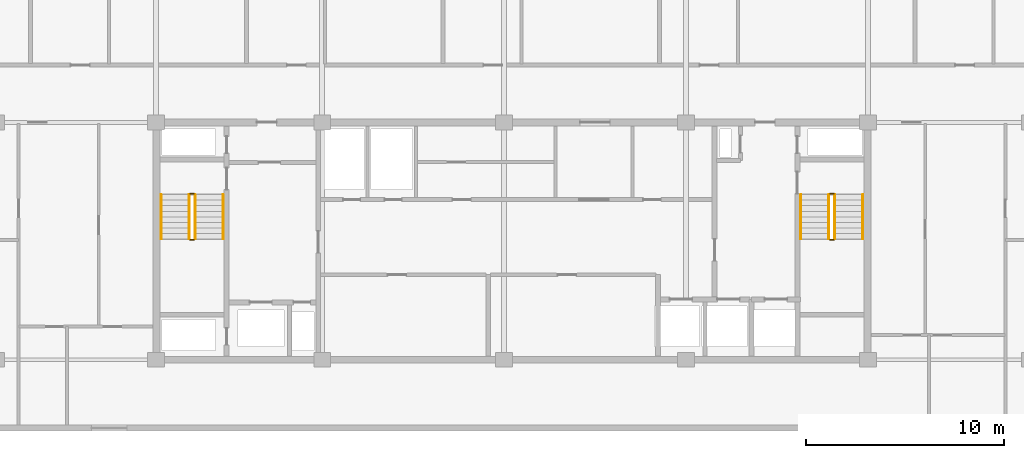
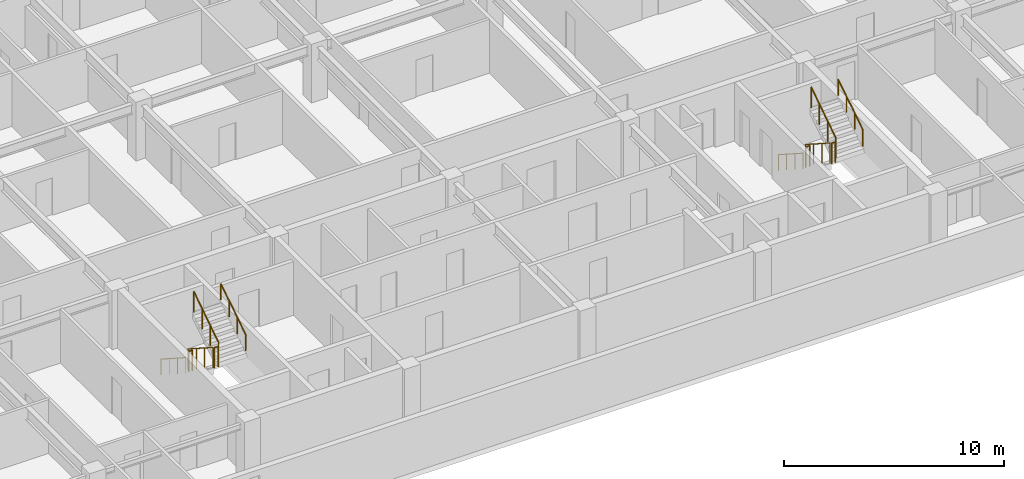
# One storey, part 16 of 17: 12 railings.
"""IFC4 building model written with IfcOpenShell, lengths in metres."""

from ifc_helpers import new_model, si_unit, direction, frame, origin, origin_2d, place, context, subcontext, project, spatial, circle, extrude, material, type_object, element, save


model = new_model("IFC4")

# Units and contexts
model_context = context("Model", 3, precision=1e-05, world=origin(), true_north=direction((0.0, 1.0)))
body_context = subcontext(model_context, "Body", "Model", "MODEL_VIEW")
ifc_project = project(units=[si_unit("LENGTHUNIT", "METRE"), si_unit("AREAUNIT", "SQUARE_METRE"), si_unit("VOLUMEUNIT", "CUBIC_METRE"), si_unit("PLANEANGLEUNIT", "RADIAN"), si_unit("MASSUNIT", "GRAM", prefix="KILO")], contexts=[model_context])

# Site, building, storey
site_placement = place(None, origin())
site = spatial("IfcSite", under=ifc_project, at=site_placement, CompositionType="ELEMENT")
building_placement = place(site_placement, origin())
building = spatial("IfcBuilding", under=site, at=building_placement, Name="Korimba Cascade Residences", CompositionType="ELEMENT")
storey_placement = place(building_placement, frame((0.0, 0.0, 204.35009765625)))
storey = spatial("IfcBuildingStorey", under=building, at=storey_placement, Name="L59", CompositionType="ELEMENT", Elevation=204.35009765625)

# Railings
ifc_material_1 = material(Name="Painted Steel Stairwell Guardrail", Category="steel")
railing_type_1 = type_object("IfcRailingType", Name="RLG-ST-GD1150", PredefinedType="GUARDRAIL", material=ifc_material_1)
railing_1_placement = place(storey_placement, frame((77.77001953125, 63.550048828125, 0.180419921875)))
element("IfcRailing", 1, at=railing_1_placement, inside=storey, type_object=railing_type_1, Name="L59 ST-W1 stair guard 1", PredefinedType="GUARDRAIL", context=body_context, shape_type="SweptSolid", body=[
    extrude(circle(Radius=0.02392578125, at=origin_2d()), frame((0.0, 0.0, 1.1259765625), z_axis=(0.0, -0.840394893359, 0.541974559565), x_axis=(1.0, 0.0, 0.0)), (0.0, 0.0, 1.0), 2.665283203125),
    extrude(circle(Radius=0.02099609375, at=origin_2d()), origin(), (0.0, 0.0, 1.0), 1.101806640625),
    extrude(circle(Radius=0.02099609375, at=origin_2d()), frame((0.0, -0.74658203125, 0.4814453125)), (0.0, 0.0, 1.0), 1.101806640625),
    extrude(circle(Radius=0.02099609375, at=origin_2d()), frame((0.0, -1.493408203125, 0.963134765625)), (0.0, 0.0, 1.0), 1.101806640625),
    extrude(circle(Radius=0.02099609375, at=origin_2d()), frame((0.0, -2.239990234375, 1.444580078125)), (0.0, 0.0, 1.0), 1.101806640625),
])
railing_2_placement = place(storey_placement, frame((77.820068359375, 61.260009765625, 1.625)))
element("IfcRailing", 2, at=railing_2_placement, inside=storey, type_object=railing_type_1, Name="L59 ST-W1 stair guard 2", PredefinedType="GUARDRAIL", context=body_context, shape_type="SweptSolid", body=[
    extrude(circle(Radius=0.02392578125, at=origin_2d()), frame((0.0, 0.0, 1.1259765625), z_axis=(1.0, 0.0, 0.0), x_axis=(0.0, 1.0, 0.0)), (0.0, 0.0, 1.0), 0.199951171875),
    extrude(circle(Radius=0.02099609375, at=origin_2d()), origin(), (0.0, 0.0, 1.0), 1.101806640625),
    extrude(circle(Radius=0.02099609375, at=origin_2d()), frame((0.199951171875, 0.0, 0.0)), (0.0, 0.0, 1.0), 1.101806640625),
])
railing_3_placement = place(storey_placement, frame((78.070068359375, 61.31005859375, 1.805419921875)))
element("IfcRailing", 3, at=railing_3_placement, inside=storey, type_object=railing_type_1, Name="L59 ST-W1 stair guard 3", PredefinedType="GUARDRAIL", context=body_context, shape_type="SweptSolid", body=[
    extrude(circle(Radius=0.02392578125, at=origin_2d()), frame((0.0, 0.0, 1.1259765625), z_axis=(0.0, 0.840394893359, 0.541974559565), x_axis=(-1.0, 0.0, 0.0)), (0.0, 0.0, 1.0), 2.665283203125),
    extrude(circle(Radius=0.02099609375, at=origin_2d()), origin(), (0.0, 0.0, 1.0), 1.101806640625),
    extrude(circle(Radius=0.02099609375, at=origin_2d()), frame((0.0, 0.74658203125, 0.4814453125)), (0.0, 0.0, 1.0), 1.101806640625),
    extrude(circle(Radius=0.02099609375, at=origin_2d()), frame((0.0, 1.493408203125, 0.963134765625)), (0.0, 0.0, 1.0), 1.101806640625),
    extrude(circle(Radius=0.02099609375, at=origin_2d()), frame((0.0, 2.239990234375, 1.444580078125)), (0.0, 0.0, 1.0), 1.101806640625),
])
railing_4_placement = place(storey_placement, frame((77.820068359375, 63.60009765625, 0.0)))
element("IfcRailing", 4, at=railing_4_placement, inside=storey, type_object=railing_type_1, Name="L59 ST-W1 stair guard 4", PredefinedType="GUARDRAIL", context=body_context, shape_type="SweptSolid", body=[
    extrude(circle(Radius=0.02392578125, at=origin_2d()), frame((0.0, 0.0, 1.1259765625), z_axis=(1.0, 0.0, 0.0), x_axis=(0.0, 1.0, 0.0)), (0.0, 0.0, 1.0), 0.199951171875),
    extrude(circle(Radius=0.02099609375, at=origin_2d()), origin(), (0.0, 0.0, 1.0), 1.101806640625),
    extrude(circle(Radius=0.02099609375, at=origin_2d()), frame((0.199951171875, 0.0, 0.0)), (0.0, 0.0, 1.0), 1.101806640625),
])
railing_5_placement = place(storey_placement, frame((110.1298828125, 63.550048828125, 0.180419921875)))
element("IfcRailing", 5, at=railing_5_placement, inside=storey, type_object=railing_type_1, Name="L59 ST-W2 stair guard 1", PredefinedType="GUARDRAIL", context=body_context, shape_type="SweptSolid", body=[
    extrude(circle(Radius=0.02392578125, at=origin_2d()), frame((0.0, 0.0, 1.1259765625), z_axis=(0.0, -0.840394893359, 0.541974559565), x_axis=(1.0, 0.0, 0.0)), (0.0, 0.0, 1.0), 2.665283203125),
    extrude(circle(Radius=0.02099609375, at=origin_2d()), origin(), (0.0, 0.0, 1.0), 1.101806640625),
    extrude(circle(Radius=0.02099609375, at=origin_2d()), frame((0.0, -0.74658203125, 0.4814453125)), (0.0, 0.0, 1.0), 1.101806640625),
    extrude(circle(Radius=0.02099609375, at=origin_2d()), frame((0.0, -1.493408203125, 0.963134765625)), (0.0, 0.0, 1.0), 1.101806640625),
    extrude(circle(Radius=0.02099609375, at=origin_2d()), frame((0.0, -2.239990234375, 1.444580078125)), (0.0, 0.0, 1.0), 1.101806640625),
])
railing_6_placement = place(storey_placement, frame((110.179931640625, 61.260009765625, 1.625)))
element("IfcRailing", 6, at=railing_6_placement, inside=storey, type_object=railing_type_1, Name="L59 ST-W2 stair guard 2", PredefinedType="GUARDRAIL", context=body_context, shape_type="SweptSolid", body=[
    extrude(circle(Radius=0.02392578125, at=origin_2d()), frame((0.0, 0.0, 1.1259765625), z_axis=(1.0, 0.0, 0.0), x_axis=(0.0, 1.0, 0.0)), (0.0, 0.0, 1.0), 0.199951171875),
    extrude(circle(Radius=0.02099609375, at=origin_2d()), origin(), (0.0, 0.0, 1.0), 1.101806640625),
    extrude(circle(Radius=0.02099609375, at=origin_2d()), frame((0.199951171875, 0.0, 0.0)), (0.0, 0.0, 1.0), 1.101806640625),
])
railing_7_placement = place(storey_placement, frame((110.429931640625, 61.31005859375, 1.805419921875)))
element("IfcRailing", 7, at=railing_7_placement, inside=storey, type_object=railing_type_1, Name="L59 ST-W2 stair guard 3", PredefinedType="GUARDRAIL", context=body_context, shape_type="SweptSolid", body=[
    extrude(circle(Radius=0.02392578125, at=origin_2d()), frame((0.0, 0.0, 1.1259765625), z_axis=(0.0, 0.840394893359, 0.541974559565), x_axis=(-1.0, 0.0, 0.0)), (0.0, 0.0, 1.0), 2.665283203125),
    extrude(circle(Radius=0.02099609375, at=origin_2d()), origin(), (0.0, 0.0, 1.0), 1.101806640625),
    extrude(circle(Radius=0.02099609375, at=origin_2d()), frame((0.0, 0.74658203125, 0.4814453125)), (0.0, 0.0, 1.0), 1.101806640625),
    extrude(circle(Radius=0.02099609375, at=origin_2d()), frame((0.0, 1.493408203125, 0.963134765625)), (0.0, 0.0, 1.0), 1.101806640625),
    extrude(circle(Radius=0.02099609375, at=origin_2d()), frame((0.0, 2.239990234375, 1.444580078125)), (0.0, 0.0, 1.0), 1.101806640625),
])
railing_8_placement = place(storey_placement, frame((110.179931640625, 63.60009765625, 0.0)))
element("IfcRailing", 8, at=railing_8_placement, inside=storey, type_object=railing_type_1, Name="L59 ST-W2 stair guard 4", PredefinedType="GUARDRAIL", context=body_context, shape_type="SweptSolid", body=[
    extrude(circle(Radius=0.02392578125, at=origin_2d()), frame((0.0, 0.0, 1.1259765625), z_axis=(1.0, 0.0, 0.0), x_axis=(0.0, 1.0, 0.0)), (0.0, 0.0, 1.0), 0.199951171875),
    extrude(circle(Radius=0.02099609375, at=origin_2d()), origin(), (0.0, 0.0, 1.0), 1.101806640625),
    extrude(circle(Radius=0.02099609375, at=origin_2d()), frame((0.199951171875, 0.0, 0.0)), (0.0, 0.0, 1.0), 1.101806640625),
])
ifc_material_2 = material(Name="Brushed Stainless Steel Handrail", Category="steel")
railing_type_2 = type_object("IfcRailingType", Name="RLG-ST-HR900", PredefinedType="HANDRAIL", material=ifc_material_2)
railing_9_placement = place(storey_placement, frame((76.35009765625, 63.550048828125, 0.36474609375)))
element("IfcRailing", 9, at=railing_9_placement, inside=storey, type_object=railing_type_2, Name="L59 ST-W1 stair handrail 1", PredefinedType="HANDRAIL", context=body_context, shape_type="SweptSolid", body=[
    extrude(circle(Radius=0.02392578125, at=origin_2d()), frame((0.0, 0.0, 0.8759765625), z_axis=(0.0, -0.840394893359, 0.541974559565), x_axis=(1.0, 0.0, 0.0)), (0.0, 0.0, 1.0), 2.665283203125),
    extrude(circle(Radius=0.02099609375, at=origin_2d()), origin(), (0.0, 0.0, 1.0), 0.851806640625),
    extrude(circle(Radius=0.02099609375, at=origin_2d()), frame((0.0, -0.74658203125, 0.4814453125)), (0.0, 0.0, 1.0), 0.851806640625),
    extrude(circle(Radius=0.02099609375, at=origin_2d()), frame((0.0, -1.493408203125, 0.963134765625)), (0.0, 0.0, 1.0), 0.851806640625),
    extrude(circle(Radius=0.02099609375, at=origin_2d()), frame((0.0, -2.239990234375, 1.444580078125)), (0.0, 0.0, 1.0), 0.851806640625),
])
railing_10_placement = place(storey_placement, frame((79.489990234375, 61.31005859375, 1.98974609375)))
element("IfcRailing", 10, at=railing_10_placement, inside=storey, type_object=railing_type_2, Name="L59 ST-W1 stair handrail 2", PredefinedType="HANDRAIL", context=body_context, shape_type="SweptSolid", body=[
    extrude(circle(Radius=0.02392578125, at=origin_2d()), frame((0.0, 0.0, 0.8759765625), z_axis=(0.0, 0.840394893359, 0.541974559565), x_axis=(-1.0, 0.0, 0.0)), (0.0, 0.0, 1.0), 2.665283203125),
    extrude(circle(Radius=0.02099609375, at=origin_2d()), origin(), (0.0, 0.0, 1.0), 0.851806640625),
    extrude(circle(Radius=0.02099609375, at=origin_2d()), frame((0.0, 0.74658203125, 0.4814453125)), (0.0, 0.0, 1.0), 0.851806640625),
    extrude(circle(Radius=0.02099609375, at=origin_2d()), frame((0.0, 1.493408203125, 0.963134765625)), (0.0, 0.0, 1.0), 0.851806640625),
    extrude(circle(Radius=0.02099609375, at=origin_2d()), frame((0.0, 2.239990234375, 1.444580078125)), (0.0, 0.0, 1.0), 0.851806640625),
])
railing_11_placement = place(storey_placement, frame((108.7099609375, 63.550048828125, 0.36474609375)))
element("IfcRailing", 11, at=railing_11_placement, inside=storey, type_object=railing_type_2, Name="L59 ST-W2 stair handrail 1", PredefinedType="HANDRAIL", context=body_context, shape_type="SweptSolid", body=[
    extrude(circle(Radius=0.02392578125, at=origin_2d()), frame((0.0, 0.0, 0.8759765625), z_axis=(0.0, -0.840394893359, 0.541974559565), x_axis=(1.0, 0.0, 0.0)), (0.0, 0.0, 1.0), 2.665283203125),
    extrude(circle(Radius=0.02099609375, at=origin_2d()), origin(), (0.0, 0.0, 1.0), 0.851806640625),
    extrude(circle(Radius=0.02099609375, at=origin_2d()), frame((0.0, -0.74658203125, 0.4814453125)), (0.0, 0.0, 1.0), 0.851806640625),
    extrude(circle(Radius=0.02099609375, at=origin_2d()), frame((0.0, -1.493408203125, 0.963134765625)), (0.0, 0.0, 1.0), 0.851806640625),
    extrude(circle(Radius=0.02099609375, at=origin_2d()), frame((0.0, -2.239990234375, 1.444580078125)), (0.0, 0.0, 1.0), 0.851806640625),
])
railing_12_placement = place(storey_placement, frame((111.85009765625, 61.31005859375, 1.98974609375)))
element("IfcRailing", 12, at=railing_12_placement, inside=storey, type_object=railing_type_2, Name="L59 ST-W2 stair handrail 2", PredefinedType="HANDRAIL", context=body_context, shape_type="SweptSolid", body=[
    extrude(circle(Radius=0.02392578125, at=origin_2d()), frame((0.0, 0.0, 0.8759765625), z_axis=(0.0, 0.840394893359, 0.541974559565), x_axis=(-1.0, 0.0, 0.0)), (0.0, 0.0, 1.0), 2.665283203125),
    extrude(circle(Radius=0.02099609375, at=origin_2d()), origin(), (0.0, 0.0, 1.0), 0.851806640625),
    extrude(circle(Radius=0.02099609375, at=origin_2d()), frame((0.0, 0.74658203125, 0.4814453125)), (0.0, 0.0, 1.0), 0.851806640625),
    extrude(circle(Radius=0.02099609375, at=origin_2d()), frame((0.0, 1.493408203125, 0.963134765625)), (0.0, 0.0, 1.0), 0.851806640625),
    extrude(circle(Radius=0.02099609375, at=origin_2d()), frame((0.0, 2.239990234375, 1.444580078125)), (0.0, 0.0, 1.0), 0.851806640625),
])

save(model, "model.ifc")
